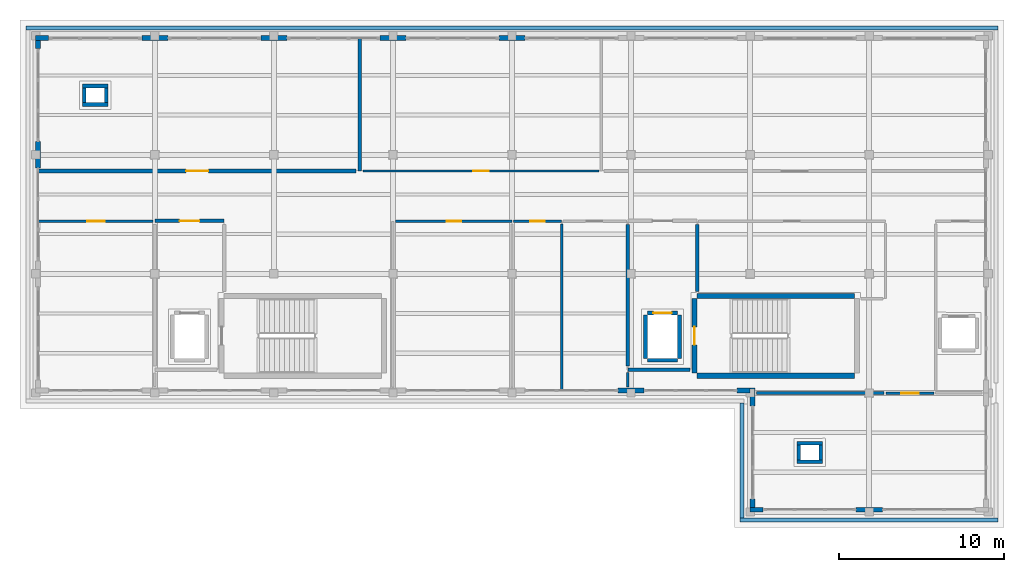
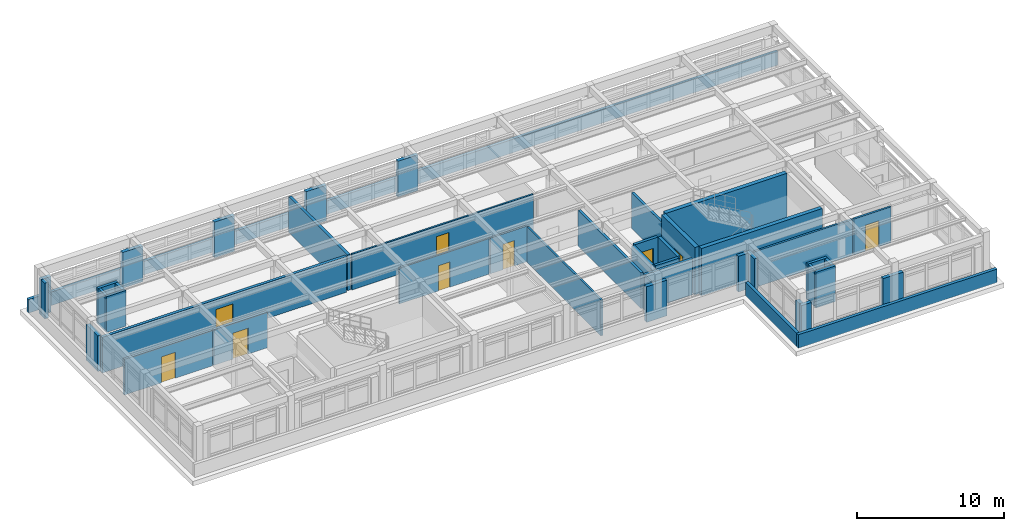
# One storey, part 14 of 18: 45 walls, 9 doors, 9 openings.
"""IFC4 building model written with IfcOpenShell, lengths in metres."""

from ifc_helpers import new_model, si_unit, direction, frame, frame_2d, origin, place, context, subcontext, project, spatial, rectangle, extrude, material, layer, layer_set, type_object, element, fill, save


model = new_model("IFC4")

# Units and contexts
model_context = context("Model", 3, precision=1e-05, world=origin(), true_north=direction((0.0, 1.0)))
body_context = subcontext(model_context, "Body", "Model", "MODEL_VIEW")
ifc_project = project(units=[si_unit("LENGTHUNIT", "METRE"), si_unit("AREAUNIT", "SQUARE_METRE"), si_unit("VOLUMEUNIT", "CUBIC_METRE"), si_unit("PLANEANGLEUNIT", "RADIAN"), si_unit("MASSUNIT", "GRAM", prefix="KILO")], contexts=[model_context])

# Site, building, storey
site_placement = place(None, origin())
site = spatial("IfcSite", under=ifc_project, at=site_placement, CompositionType="ELEMENT")
building_placement = place(site_placement, origin())
building = spatial("IfcBuilding", under=site, at=building_placement, Name="Solenvale Faculty of Natural Sciences", CompositionType="ELEMENT")
storey_placement = place(building_placement, frame((0.0, 0.0, 43.800048828125)))
storey = spatial("IfcBuildingStorey", under=building, at=storey_placement, Name="L10", CompositionType="ELEMENT", Elevation=43.800048828125)

# Walls
ifc_material_1 = material(Name="Precast concrete 40 MPa", Category="concrete")
ifc_layer_1 = layer(ifc_material_1, 0.284912109375)
ifc_layer_set_1 = layer_set([ifc_layer_1], Name="Precast concrete 40 MPa")
wall_type_1 = type_object("IfcWallType", Name="WL-EXT-PRC-285", PredefinedType="STANDARD", material=ifc_layer_set_1)
for number, where, z_axis, x_axis, name in (
    (1, (123.18798828125, 115.0576171875, 0.0), (0.0, 0.0, 1.0), (-1.0, 0.0, 0.0), "L10 Facade Closure Pier 2.B4-R"),
    (2, (115.988037109375, 115.0576171875, 0.0), (0.0, 0.0, 1.0), (-1.0, 0.0, 0.0), "L10 Facade Closure Pier 2.B5-R"),
):
    element("IfcWall", number, at=place(storey_placement, frame(where, z_axis=z_axis, x_axis=x_axis)), inside=storey, type_object=wall_type_1, Name=name, PredefinedType="STANDARD", context=body_context, shape_type="SweptSolid", body=[
        extrude(rectangle(XDim=1.575927734375, YDim=0.284912109375, at=frame_2d((0.7880859375, 0.0))), origin(), (0.0, 0.0, 1.0), 2.9599609375),
    ])
wall_1_placement = place(storey_placement, frame((108.7880859375, 115.0576171875, 0.0), z_axis=(0.0, 0.0, 1.0), x_axis=(-1.0, 0.0, 0.0)))
element("IfcWall", 3, at=wall_1_placement, inside=storey, type_object=wall_type_1, Name="L10 Facade Closure Pier 2.B6-R", PredefinedType="STANDARD", context=body_context, shape_type="SweptSolid", body=[
    extrude(rectangle(XDim=1.576171875, YDim=0.284912109375, at=frame_2d((0.7880859375, 0.0))), origin(), (0.0, 0.0, 1.0), 2.9599609375),
])
wall_2_placement = place(storey_placement, frame((101.587890625, 115.0576171875, 0.0), z_axis=(0.0, 0.0, 1.0), x_axis=(-1.0, 0.0, 0.0)))
element("IfcWall", 4, at=wall_2_placement, inside=storey, type_object=wall_type_1, Name="L10 Facade Closure Pier 2.B7-R", PredefinedType="STANDARD", context=body_context, shape_type="SweptSolid", body=[
    extrude(rectangle(XDim=1.575927734375, YDim=0.284912109375, at=frame_2d((0.7880859375, 0.0))), origin(), (0.0, 0.0, 1.0), 2.9599609375),
])
wall_3_placement = place(storey_placement, frame((94.387939453125, 115.0576171875, 0.0), z_axis=(0.0, 0.0, 1.0), x_axis=(-1.0, 0.0, 0.0)))
element("IfcWall", 5, at=wall_3_placement, inside=storey, type_object=wall_type_1, Name="L10 Facade Closure Pier 2.B8-R", PredefinedType="STANDARD", context=body_context, shape_type="SweptSolid", body=[
    extrude(rectangle(XDim=0.787841796875, YDim=0.284912109375, at=frame_2d((0.39404296875, 0.0))), origin(), (0.0, 0.0, 1.0), 2.9599609375),
])
wall_4_placement = place(storey_placement, frame((93.742431640625, 114.9150390625, 0.0), z_axis=(0.0, 0.0, 1.0), x_axis=(0.0, -1.0, 0.0)))
element("IfcWall", 6, at=wall_4_placement, inside=storey, type_object=wall_type_1, Name="L10 Facade Closure Pier 3.B1-L", PredefinedType="STANDARD", context=body_context, shape_type="SweptSolid", body=[
    extrude(rectangle(XDim=0.5029296875, YDim=0.284912109375, at=frame_2d((0.25146484375, 0.0))), origin(), (0.0, 0.0, 1.0), 2.9599609375),
])
wall_5_placement = place(storey_placement, frame((93.742431640625, 108.7880859375, 0.0), z_axis=(0.0, 0.0, 1.0), x_axis=(0.0, -1.0, 0.0)))
element("IfcWall", 7, at=wall_5_placement, inside=storey, type_object=wall_type_1, Name="L10 Facade Closure Pier 3.B1-R", PredefinedType="STANDARD", context=body_context, shape_type="SweptSolid", body=[
    extrude(rectangle(XDim=1.576171875, YDim=0.284912109375, at=frame_2d((0.7880859375, 0.0))), origin(), (0.0, 0.0, 1.0), 2.9599609375),
])
wall_6_placement = place(storey_placement, frame((128.81201171875, 93.742431640625, 0.0), z_axis=(0.0, 0.0, 1.0), x_axis=(1.0, 0.0, 0.0)))
element("IfcWall", 8, at=wall_6_placement, inside=storey, type_object=wall_type_1, Name="L10 Facade Closure Pier 4.B5-R", PredefinedType="STANDARD", context=body_context, shape_type="SweptSolid", body=[
    extrude(rectangle(XDim=1.575927734375, YDim=0.284912109375, at=frame_2d((0.7880859375, 0.0))), origin(), (0.0, 0.0, 1.0), 2.9599609375),
])
wall_7_placement = place(storey_placement, frame((136.011962890625, 93.742431640625, 0.0), z_axis=(0.0, 0.0, 1.0), x_axis=(1.0, 0.0, 0.0)))
element("IfcWall", 9, at=wall_7_placement, inside=storey, type_object=wall_type_1, Name="L10 Facade Closure Pier 4.B6-R", PredefinedType="STANDARD", context=body_context, shape_type="SweptSolid", body=[
    extrude(rectangle(XDim=0.7880859375, YDim=0.284912109375, at=frame_2d((0.39404296875, 0.0))), origin(), (0.0, 0.0, 1.0), 2.9599609375),
])
wall_8_placement = place(storey_placement, frame((136.9423828125, 93.885009765625, 0.0), z_axis=(0.0, 0.0, 1.0), x_axis=(0.0, -1.0, 0.0)))
element("IfcWall", 10, at=wall_8_placement, inside=storey, type_object=wall_type_1, Name="L10 Facade Closure Pier 5.B1-L", PredefinedType="STANDARD", context=body_context, shape_type="SweptSolid", body=[
    extrude(rectangle(XDim=1.072998046875, YDim=0.284912109375, at=frame_2d((0.53662109375, 0.0))), origin(), (0.0, 0.0, 1.0), 2.9599609375),
])
wall_9_placement = place(storey_placement, frame((136.9423828125, 87.18798828125, 0.0), z_axis=(0.0, 0.0, 1.0), x_axis=(0.0, -1.0, 0.0)))
element("IfcWall", 11, at=wall_9_placement, inside=storey, type_object=wall_type_1, Name="L10 Facade Closure Pier 5.B1-R", PredefinedType="STANDARD", context=body_context, shape_type="SweptSolid", body=[
    extrude(rectangle(XDim=0.5029296875, YDim=0.284912109375, at=frame_2d((0.25146484375, 0.0))), origin(), (0.0, 0.0, 1.0), 2.9599609375),
])
wall_10_placement = place(storey_placement, frame((136.800048828125, 86.54248046875, 0.0), z_axis=(0.0, 0.0, 1.0), x_axis=(1.0, 0.0, 0.0)))
element("IfcWall", 12, at=wall_10_placement, inside=storey, type_object=wall_type_1, Name="L10 Facade Closure Pier 6.B1-L", PredefinedType="STANDARD", context=body_context, shape_type="SweptSolid", body=[
    extrude(rectangle(XDim=0.787841796875, YDim=0.284912109375, at=frame_2d((0.39404296875, 0.0))), origin(), (0.0, 0.0, 1.0), 2.9599609375),
])
wall_11_placement = place(storey_placement, frame((143.2119140625, 86.54248046875, 0.0), z_axis=(0.0, 0.0, 1.0), x_axis=(1.0, 0.0, 0.0)))
element("IfcWall", 13, at=wall_11_placement, inside=storey, type_object=wall_type_1, Name="L10 Facade Closure Pier 6.B1-R", PredefinedType="STANDARD", context=body_context, shape_type="SweptSolid", body=[
    extrude(rectangle(XDim=1.576171875, YDim=0.284912109375, at=frame_2d((0.7880859375, 0.0))), origin(), (0.0, 0.0, 1.0), 2.9599609375),
])

# Wall, opening, door
ifc_material_2 = material(Name="Gypsum fire-rated shaftwall")
ifc_layer_2 = layer(ifc_material_2, 0.205078125)
ifc_layer_set_2 = layer_set([ifc_layer_2], Name="Gypsum fire-rated shaftwall")
wall_type_2 = type_object("IfcWallType", Name="WL-FFL-205", PredefinedType="PARTITIONING", material=ifc_layer_set_2)
wall_12_placement = place(storey_placement, frame((100.800048828125, 104.0, 0.0), z_axis=(0.0, 0.0, 1.0), x_axis=(1.0, 0.0, 0.0)))
wall_12 = element("IfcWall", 14, at=wall_12_placement, inside=storey, type_object=wall_type_2, Name="L10 Firefighting Lobby C4 Partition 1", PredefinedType="PARTITIONING", context=body_context, shape_type="SweptSolid", body=[
    extrude(rectangle(XDim=4.199951171875, YDim=0.205078125, at=frame_2d((2.10009765625, 0.0))), origin(), (0.0, 0.0, 1.0), 2.9599609375),
])
opening_1_placement = place(wall_12_placement, frame((1.5, 0.0, 0.0)))
opening_1 = element("IfcOpeningElement", 15, at=opening_1_placement, cuts=wall_12, Name="Opening D-L10-01", PredefinedType="OPENING", context=body_context, shape_type="SweptSolid", body=[
    extrude(rectangle(XDim=1.199951171875, YDim=2.14990234375, at=frame_2d((0.60009765625, 1.074951171875))), frame((0.0, 0.112548828125, 0.0), z_axis=(0.0, -1.0, 0.0), x_axis=(1.0, 0.0, 0.0)), (0.0, 0.0, 1.0), 0.22509765625),
])
ifc_material_3 = material(Name="Galvanised steel S355", Category="steel")
door_type_1 = type_object("IfcDoorType", Name="DR-FFL-1200x2150", OperationType="NOTDEFINED", PredefinedType="DOOR", material=ifc_material_3)
door_1_placement = place(opening_1_placement, origin())
door_1 = element("IfcDoor", 16, at=door_1_placement, inside=storey, type_object=door_type_1, Name="L10 Firefighting Lobby C4 Door", OperationType="SINGLE_SWING_RIGHT", OverallHeight=2.14990234375, OverallWidth=1.199951171875, PredefinedType="DOOR", context=body_context, shape_type="SweptSolid", body=[
    extrude(rectangle(XDim=1.199951171875, YDim=2.14990234375, at=frame_2d((0.60009765625, 1.074951171875))), frame((0.0, 0.02490234375, 0.0), z_axis=(0.0, -1.0, 0.0), x_axis=(1.0, 0.0, 0.0)), (0.0, 0.0, 1.0), 0.050048828125),
])
fill(opening_1, door_1)

# Walls
wall_13_placement = place(storey_placement, frame((133.60009765625, 103.782958984375, 0.0), z_axis=(0.0, 0.0, 1.0), x_axis=(0.0, -1.0, 0.0)))
element("IfcWall", 17, at=wall_13_placement, inside=storey, type_object=wall_type_2, Name="L10 Firefighting Lobby C5 Partition 2", PredefinedType="PARTITIONING", context=body_context, shape_type="SweptSolid", body=[
    extrude(rectangle(XDim=4.049072265625, YDim=0.205078125, at=frame_2d((2.0244140625, 0.0))), origin(), (0.0, 0.0, 1.0), 2.9599609375),
])
wall_14_placement = place(storey_placement, frame((133.166015625, 95.0, 0.0), z_axis=(0.0, 0.0, 1.0), x_axis=(-1.0, 0.0, 0.0)))
element("IfcWall", 18, at=wall_14_placement, inside=storey, type_object=wall_type_2, Name="L10 Firefighting Lobby C5 Partition 20", PredefinedType="PARTITIONING", context=body_context, shape_type="SweptSolid", body=[
    extrude(rectangle(XDim=3.76611328125, YDim=0.205078125, at=frame_2d((1.883056640625, 0.0))), origin(), (0.0, 0.0, 1.0), 2.9599609375),
])
wall_15_placement = place(storey_placement, frame((129.39990234375, 95.217041015625, 0.0), z_axis=(0.0, 0.0, 1.0), x_axis=(0.0, 1.0, 0.0)))
element("IfcWall", 19, at=wall_15_placement, inside=storey, type_object=wall_type_2, Name="L10 Firefighting Lobby C5 Partition 21", PredefinedType="PARTITIONING", context=body_context, shape_type="SweptSolid", body=[
    extrude(rectangle(XDim=8.56591796875, YDim=0.205078125, at=frame_2d((4.282958984375, 0.0))), origin(), (0.0, 0.0, 1.0), 2.9599609375),
])
ifc_material_4 = material(Name="Gypsum fire-rated laboratory partition")
ifc_layer_3 = layer(ifc_material_4, 0.22802734375)
ifc_layer_set_3 = layer_set([ifc_layer_3], Name="Gypsum fire-rated laboratory partition")
wall_type_3 = type_object("IfcWallType", Name="WL-LAB-228", PredefinedType="PARTITIONING", material=ifc_layer_set_3)
wall_16_placement = place(storey_placement, frame((113.199951171875, 115.01708984375, 0.0), z_axis=(0.0, 0.0, 1.0), x_axis=(0.0, -1.0, 0.0)))
element("IfcWall", 20, at=wall_16_placement, inside=storey, type_object=wall_type_3, Name="L10 Biophysics and Neurobiology Research Laboratory Partition 3", PredefinedType="PARTITIONING", context=body_context, shape_type="SweptSolid", body=[
    extrude(rectangle(XDim=7.9970703125, YDim=0.22802734375, at=frame_2d((3.99853515625, 0.0))), origin(), (0.0, 0.0, 1.0), 2.9599609375),
])

# Wall, opening, door
wall_17_placement = place(storey_placement, frame((112.9599609375, 107.02001953125, 0.0), z_axis=(0.0, 0.0, 1.0), x_axis=(-1.0, 0.0, 0.0)))
wall_17 = element("IfcWall", 21, at=wall_17_placement, inside=storey, type_object=wall_type_3, Name="L10 Biophysics and Neurobiology Research Laboratory Partition 4", PredefinedType="PARTITIONING", context=body_context, shape_type="SweptSolid", body=[
    extrude(rectangle(XDim=19.177001953125, YDim=0.22802734375, at=frame_2d((9.58837890625, 0.0))), origin(), (0.0, 0.0, 1.0), 2.9599609375),
])
opening_2_placement = place(wall_17_placement, frame((8.9130859375, 0.0, 0.0)))
opening_2 = element("IfcOpeningElement", 22, at=opening_2_placement, cuts=wall_17, Name="Opening D-L10-03", PredefinedType="OPENING", context=body_context, shape_type="SweptSolid", body=[
    extrude(rectangle(XDim=1.35009765625, YDim=2.14990234375, at=frame_2d((0.675048828125, 1.074951171875))), frame((0.0, 0.1240234375, 0.0), z_axis=(0.0, -1.0, 0.0), x_axis=(1.0, 0.0, 0.0)), (0.0, 0.0, 1.0), 0.248046875),
])
ifc_material_5 = material(Name="Oak acoustic timber leaf", Category="wood")
door_type_2 = type_object("IfcDoorType", Name="DR-LAB-1350x2150", OperationType="NOTDEFINED", PredefinedType="DOOR", material=ifc_material_5)
door_2_placement = place(opening_2_placement, origin())
door_2 = element("IfcDoor", 23, at=door_2_placement, inside=storey, type_object=door_type_2, Name="L10 Biophysics and Neurobiology Research Laboratory Door", OperationType="SINGLE_SWING_RIGHT", OverallHeight=2.14990234375, OverallWidth=1.35009765625, PredefinedType="DOOR", context=body_context, shape_type="SweptSolid", body=[
    extrude(rectangle(XDim=1.35009765625, YDim=2.14990234375, at=frame_2d((0.675048828125, 1.074951171875))), frame((0.0, 0.02490234375, 0.0), z_axis=(0.0, -1.0, 0.0), x_axis=(1.0, 0.0, 0.0)), (0.0, 0.0, 1.0), 0.050048828125),
])
fill(opening_2, door_2)

# Wall
ifc_material_6 = material(Name="Acoustic stud gypsum partition")
ifc_layer_4 = layer(ifc_material_6, 0.125)
ifc_layer_set_4 = layer_set([ifc_layer_4], Name="Acoustic stud gypsum partition")
wall_type_4 = type_object("IfcWallType", Name="WL-OFF-125", PredefinedType="PARTITIONING", material=ifc_layer_set_4)
wall_18_placement = place(storey_placement, frame((129.39990234375, 94.822998046875, 0.0), z_axis=(0.0, 0.0, 1.0), x_axis=(0.0, -1.0, 0.0)))
element("IfcWall", 24, at=wall_18_placement, inside=storey, type_object=wall_type_4, Name="L10 Analytical Balance Room Partition 20", PredefinedType="PARTITIONING", context=body_context, shape_type="SweptSolid", body=[
    extrude(rectangle(XDim=0.863037109375, YDim=0.125, at=frame_2d((0.431640625, 0.0))), origin(), (0.0, 0.0, 1.0), 2.9599609375),
])

# Wall, opening, door
ifc_layer_5 = layer(ifc_material_6, 0.139892578125)
ifc_layer_set_5 = layer_set([ifc_layer_5], Name="Acoustic stud gypsum partition")
wall_type_5 = type_object("IfcWallType", Name="WL-OFF-140", PredefinedType="PARTITIONING", material=ifc_layer_set_5)
wall_19_placement = place(storey_placement, frame((127.64794921875, 107.02001953125, 0.0), z_axis=(0.0, 0.0, 1.0), x_axis=(-1.0, 0.0, 0.0)))
wall_19 = element("IfcWall", 25, at=wall_19_placement, inside=storey, type_object=wall_type_5, Name="L10 Faculty Staff Office Partition 4", PredefinedType="PARTITIONING", context=body_context, shape_type="SweptSolid", body=[
    extrude(rectangle(XDim=14.251953125, YDim=0.139892578125, at=frame_2d((7.1259765625, 0.0))), origin(), (0.0, 0.0, 1.0), 2.9599609375),
])
opening_3_placement = place(wall_19_placement, frame((6.64599609375, 0.0, 0.0)))
opening_3 = element("IfcOpeningElement", 26, at=opening_3_placement, cuts=wall_19, Name="Opening D-L10-04", PredefinedType="OPENING", context=body_context, shape_type="SweptSolid", body=[
    extrude(rectangle(XDim=0.9599609375, YDim=2.10009765625, at=frame_2d((0.47998046875, 1.050048828125))), frame((0.0, 0.079833984375, 0.0), z_axis=(0.0, -1.0, 0.0), x_axis=(1.0, 0.0, 0.0)), (0.0, 0.0, 1.0), 0.159912109375),
])
door_type_3 = type_object("IfcDoorType", Name="DR-OFF-0960x2100", OperationType="NOTDEFINED", PredefinedType="DOOR", material=ifc_material_5)
door_3_placement = place(opening_3_placement, origin())
door_3 = element("IfcDoor", 27, at=door_3_placement, inside=storey, type_object=door_type_3, Name="L10 Faculty Staff Office Door", OperationType="SINGLE_SWING_LEFT", OverallHeight=2.10009765625, OverallWidth=0.9599609375, PredefinedType="DOOR", context=body_context, shape_type="SweptSolid", body=[
    extrude(rectangle(XDim=0.9599609375, YDim=2.10009765625, at=frame_2d((0.47998046875, 1.050048828125))), frame((0.0, 0.02490234375, 0.0), z_axis=(0.0, -1.0, 0.0), x_axis=(1.0, 0.0, 0.0)), (0.0, 0.0, 1.0), 0.050048828125),
])
fill(opening_3, door_3)

# Walls
ifc_material_7 = material(Name="Architectural bronze concrete 40 MPa", Category="concrete")
ifc_layer_6 = layer(ifc_material_7, 0.239990234375)
ifc_layer_set_6 = layer_set([ifc_layer_6], Name="Architectural bronze concrete 40 MPa")
wall_type_6 = type_object("IfcWallType", Name="WL-PAR-BRZ-240", PredefinedType="PARAPET", material=ifc_layer_set_6)
wall_20_placement = place(storey_placement, frame((93.0, 115.679931640625, 0.0), z_axis=(0.0, 0.0, 1.0), x_axis=(1.0, 0.0, 0.0)))
element("IfcWall", 28, at=wall_20_placement, inside=storey, type_object=wall_type_6, Name="L10 Tower Horizontal Concrete Band 3", PredefinedType="PARAPET", context=body_context, shape_type="SweptSolid", body=[
    extrude(rectangle(XDim=58.800048828125, YDim=0.239990234375, at=frame_2d((29.39990234375, 0.0))), origin(), (0.0, 0.0, 1.0), 1.119873046875),
])
wall_21_placement = place(storey_placement, frame((151.800048828125, 85.919921875, 0.0), z_axis=(0.0, 0.0, 1.0), x_axis=(-1.0, 0.0, 0.0)))
element("IfcWall", 29, at=wall_21_placement, inside=storey, type_object=wall_type_6, Name="L10 Tower Horizontal Concrete Band 6", PredefinedType="PARAPET", context=body_context, shape_type="SweptSolid", body=[
    extrude(rectangle(XDim=15.60009765625, YDim=0.239990234375, at=frame_2d((7.800048828125, 0.0))), origin(), (0.0, 0.0, 1.0), 1.119873046875),
])
wall_22_placement = place(storey_placement, frame((136.320068359375, 86.0400390625, 0.0), z_axis=(0.0, 0.0, 1.0), x_axis=(0.0, 1.0, 0.0)))
element("IfcWall", 30, at=wall_22_placement, inside=storey, type_object=wall_type_6, Name="L10 Tower Horizontal Concrete Band 7", PredefinedType="PARAPET", context=body_context, shape_type="SweptSolid", body=[
    extrude(rectangle(XDim=6.9599609375, YDim=0.239990234375, at=frame_2d((3.47998046875, 0.0))), origin(), (0.0, 0.0, 1.0), 1.119873046875),
])

# Wall, opening, door
ifc_material_8 = material(Name="Acoustic double-stud gypsum partition")
ifc_layer_7 = layer(ifc_material_8, 0.1650390625)
ifc_layer_set_7 = layer_set([ifc_layer_7], Name="Acoustic double-stud gypsum partition")
wall_type_7 = type_object("IfcWallType", Name="WL-SEM-165", PredefinedType="PARTITIONING", material=ifc_layer_set_7)
wall_23_placement = place(storey_placement, frame((145.0, 93.580078125, 0.0), z_axis=(0.0, 0.0, 1.0), x_axis=(1.0, 0.0, 0.0)))
wall_23 = element("IfcWall", 31, at=wall_23_placement, inside=storey, type_object=wall_type_7, Name="L10 Seminar Room Partition 16", PredefinedType="PARTITIONING", context=body_context, shape_type="SweptSolid", body=[
    extrude(rectangle(XDim=2.925048828125, YDim=0.1650390625, at=frame_2d((1.46240234375, 0.0))), origin(), (0.0, 0.0, 1.0), 2.9599609375),
])
opening_4_placement = place(wall_23_placement, frame((0.93798828125, 0.0, 0.0)))
opening_4 = element("IfcOpeningElement", 32, at=opening_4_placement, cuts=wall_23, Name="Opening D-L10-12", PredefinedType="OPENING", context=body_context, shape_type="SweptSolid", body=[
    extrude(rectangle(XDim=1.050048828125, YDim=2.14990234375, at=frame_2d((0.52490234375, 1.074951171875))), frame((0.0, 0.092529296875, 0.0), z_axis=(0.0, -1.0, 0.0), x_axis=(1.0, 0.0, 0.0)), (0.0, 0.0, 1.0), 0.18505859375),
])
door_type_4 = type_object("IfcDoorType", Name="DR-SEM-1050x2150", OperationType="NOTDEFINED", PredefinedType="DOOR", material=ifc_material_5)
door_4_placement = place(opening_4_placement, origin())
door_4 = element("IfcDoor", 33, at=door_4_placement, inside=storey, type_object=door_type_4, Name="L10 Seminar Room Door", OperationType="SINGLE_SWING_LEFT", OverallHeight=2.14990234375, OverallWidth=1.050048828125, PredefinedType="DOOR", context=body_context, shape_type="SweptSolid", body=[
    extrude(rectangle(XDim=1.050048828125, YDim=2.14990234375, at=frame_2d((0.52490234375, 1.074951171875))), frame((0.0, 0.02490234375, 0.0), z_axis=(0.0, -1.0, 0.0), x_axis=(1.0, 0.0, 0.0)), (0.0, 0.0, 1.0), 0.050048828125),
])
fill(opening_4, door_4)

# Wall
wall_24_placement = place(storey_placement, frame((137.179931640625, 93.60009765625, 0.0), z_axis=(0.0, 0.0, 1.0), x_axis=(1.0, 0.0, 0.0)))
element("IfcWall", 34, at=wall_24_placement, inside=storey, type_object=wall_type_7, Name="L10 Seminar Room Partition 33", PredefinedType="PARTITIONING", context=body_context, shape_type="SweptSolid", body=[
    extrude(rectangle(XDim=7.72509765625, YDim=0.1650390625, at=frame_2d((3.862548828125, 0.0))), origin(), (0.0, 0.0, 1.0), 2.9599609375),
])

# Wall, opening, door
ifc_layer_8 = layer(ifc_material_8, 0.169921875)
ifc_layer_set_8 = layer_set([ifc_layer_8], Name="Acoustic double-stud gypsum partition")
wall_type_8 = type_object("IfcWallType", Name="WL-SEM-170", PredefinedType="PARTITIONING", material=ifc_layer_set_8)
wall_25_placement = place(storey_placement, frame((93.782958984375, 103.97998046875, 0.0), z_axis=(0.0, 0.0, 1.0), x_axis=(1.0, 0.0, 0.0)))
wall_25 = element("IfcWall", 35, at=wall_25_placement, inside=storey, type_object=wall_type_8, Name="L10 Learning Commons Partition 2", PredefinedType="PARTITIONING", context=body_context, shape_type="SweptSolid", body=[
    extrude(rectangle(XDim=6.919921875, YDim=0.169921875, at=frame_2d((3.4599609375, 0.0))), origin(), (0.0, 0.0, 1.0), 2.9599609375),
])
opening_5_placement = place(wall_25_placement, frame((2.919921875, 0.0, 0.0)))
opening_5 = element("IfcOpeningElement", 36, at=opening_5_placement, cuts=wall_25, Name="Opening D-L10-06", PredefinedType="OPENING", context=body_context, shape_type="SweptSolid", body=[
    extrude(rectangle(XDim=1.080078125, YDim=2.14990234375, at=frame_2d((0.5400390625, 1.074951171875))), frame((0.0, 0.094970703125, 0.0), z_axis=(0.0, -1.0, 0.0), x_axis=(1.0, 0.0, 0.0)), (0.0, 0.0, 1.0), 0.18994140625),
])
door_type_5 = type_object("IfcDoorType", Name="DR-SEM-1080x2150", OperationType="NOTDEFINED", PredefinedType="DOOR", material=ifc_material_5)
door_5_placement = place(opening_5_placement, origin())
door_5 = element("IfcDoor", 37, at=door_5_placement, inside=storey, type_object=door_type_5, Name="L10 Learning Commons Door", OperationType="SINGLE_SWING_LEFT", OverallHeight=2.14990234375, OverallWidth=1.080078125, PredefinedType="DOOR", context=body_context, shape_type="SweptSolid", body=[
    extrude(rectangle(XDim=1.080078125, YDim=2.14990234375, at=frame_2d((0.5400390625, 1.074951171875))), frame((0.0, 0.02490234375, 0.0), z_axis=(0.0, -1.0, 0.0), x_axis=(1.0, 0.0, 0.0)), (0.0, 0.0, 1.0), 0.050048828125),
])
fill(opening_5, door_5)

# Wall
ifc_material_9 = material(Name="Concrete 40 MPa", Category="concrete")
ifc_layer_9 = layer(ifc_material_9, 0.219970703125)
ifc_layer_set_9 = layer_set([ifc_layer_9], Name="Concrete 40 MPa")
wall_type_9 = type_object("IfcWallType", Name="WL-SHF-220", PredefinedType="STANDARD", material=ifc_layer_set_9)
wall_26_placement = place(storey_placement, frame((130.580078125, 95.570068359375, 0.0), z_axis=(0.0, 0.0, 1.0), x_axis=(1.0, 0.0, 0.0)))
element("IfcWall", 38, at=wall_26_placement, inside=storey, type_object=wall_type_9, Name="Elevator LF-02 L10 Shaft Wall S", PredefinedType="STANDARD", context=body_context, shape_type="SweptSolid", body=[
    extrude(rectangle(XDim=1.83984375, YDim=0.219970703125, at=frame_2d((0.919921875, 0.0))), origin(), (0.0, 0.0, 1.0), 2.9599609375),
])

# Wall, opening, door
wall_27_placement = place(storey_placement, frame((130.580078125, 98.429931640625, 0.0), z_axis=(0.0, 0.0, 1.0), x_axis=(1.0, 0.0, 0.0)))
wall_27 = element("IfcWall", 39, at=wall_27_placement, inside=storey, type_object=wall_type_9, Name="Elevator LF-02 L10 Shaft Wall N", PredefinedType="STANDARD", context=body_context, shape_type="SweptSolid", body=[
    extrude(rectangle(XDim=1.83984375, YDim=0.219970703125, at=frame_2d((0.919921875, 0.0))), origin(), (0.0, 0.0, 1.0), 2.9599609375),
])
opening_6_placement = place(wall_27_placement, frame((0.3701171875, 0.0, 0.0)))
opening_6 = element("IfcOpeningElement", 40, at=opening_6_placement, cuts=wall_27, Name="Opening LD-LF-02-L10", PredefinedType="OPENING", context=body_context, shape_type="SweptSolid", body=[
    extrude(rectangle(XDim=1.10009765625, YDim=2.14990234375, at=frame_2d((0.550048828125, 1.074951171875))), frame((0.0, 0.119873046875, 0.0), z_axis=(0.0, -1.0, 0.0), x_axis=(1.0, 0.0, 0.0)), (0.0, 0.0, 1.0), 0.239990234375),
])
ifc_material_10 = material(Name="Stainless steel Grade 304", Category="steel")
door_type_6 = type_object("IfcDoorType", Name="DR-LIFT-1100x2150", OperationType="NOTDEFINED", PredefinedType="DOOR", material=ifc_material_10)
door_6_placement = place(opening_6_placement, origin())
door_6 = element("IfcDoor", 41, at=door_6_placement, inside=storey, type_object=door_type_6, Name="Elevator LF-02 L10 Sliding Landing Door", OperationType="SLIDING_TO_LEFT", OverallHeight=2.14990234375, OverallWidth=1.10009765625, PredefinedType="DOOR", context=body_context, shape_type="SweptSolid", body=[
    extrude(rectangle(XDim=1.10009765625, YDim=2.14990234375, at=frame_2d((0.550048828125, 1.074951171875))), frame((0.0, 0.02490234375, 0.0), z_axis=(0.0, -1.0, 0.0), x_axis=(1.0, 0.0, 0.0)), (0.0, 0.0, 1.0), 0.050048828125),
])
fill(opening_6, door_6)

# Walls
for number, where, z_axis, x_axis, name in (
    (42, (130.469970703125, 95.679931640625, 0.0), (0.0, 0.0, 1.0), (0.0, 1.0, 0.0), "Elevator LF-02 L10 Shaft Wall W"),
    (43, (132.530029296875, 95.679931640625, 0.0), (0.0, 0.0, 1.0), (0.0, 1.0, 0.0), "Elevator LF-02 L10 Shaft Wall E"),
):
    element("IfcWall", number, at=place(storey_placement, frame(where, z_axis=z_axis, x_axis=x_axis)), inside=storey, type_object=wall_type_9, Name=name, PredefinedType="STANDARD", context=body_context, shape_type="SweptSolid", body=[
        extrude(rectangle(XDim=2.64013671875, YDim=0.219970703125, at=frame_2d((1.320068359375, 0.0))), origin(), (0.0, 0.0, 1.0), 2.9599609375),
    ])
for number, where, z_axis, x_axis, name in (
    (44, (96.429931640625, 111.0400390625, 0.0), (0.0, 0.0, 1.0), (1.0, 0.0, 0.0), "L10 Service Riser Shaft 1 Wall S"),
    (45, (96.429931640625, 112.159912109375, 0.0), (0.0, 0.0, 1.0), (1.0, 0.0, 0.0), "L10 Service Riser Shaft 1 Wall N"),
):
    element("IfcWall", number, at=place(storey_placement, frame(where, z_axis=z_axis, x_axis=x_axis)), inside=storey, type_object=wall_type_9, Name=name, PredefinedType="STANDARD", context=body_context, shape_type="SweptSolid", body=[
        extrude(rectangle(XDim=1.5400390625, YDim=0.219970703125, at=frame_2d((0.77001953125, 0.0))), origin(), (0.0, 0.0, 1.0), 2.9599609375),
    ])
for number, where, z_axis, x_axis, name in (
    (46, (96.5400390625, 111.14990234375, 0.0), (0.0, 0.0, 1.0), (0.0, 1.0, 0.0), "L10 Service Riser Shaft 1 Wall W"),
    (47, (97.860107421875, 111.14990234375, 0.0), (0.0, 0.0, 1.0), (0.0, 1.0, 0.0), "L10 Service Riser Shaft 1 Wall E"),
):
    element("IfcWall", number, at=place(storey_placement, frame(where, z_axis=z_axis, x_axis=x_axis)), inside=storey, type_object=wall_type_9, Name=name, PredefinedType="STANDARD", context=body_context, shape_type="SweptSolid", body=[
        extrude(rectangle(XDim=0.900146484375, YDim=0.219970703125, at=frame_2d((0.4501953125, 0.0))), origin(), (0.0, 0.0, 1.0), 2.9599609375),
    ])
for number, where, z_axis, x_axis, name in (
    (48, (139.6298828125, 89.43994140625, 0.0), (0.0, 0.0, 1.0), (1.0, 0.0, 0.0), "L10 Service Riser Shaft 2 Wall S"),
    (49, (139.6298828125, 90.56005859375, 0.0), (0.0, 0.0, 1.0), (1.0, 0.0, 0.0), "L10 Service Riser Shaft 2 Wall N"),
):
    element("IfcWall", number, at=place(storey_placement, frame(where, z_axis=z_axis, x_axis=x_axis)), inside=storey, type_object=wall_type_9, Name=name, PredefinedType="STANDARD", context=body_context, shape_type="SweptSolid", body=[
        extrude(rectangle(XDim=1.5400390625, YDim=0.219970703125, at=frame_2d((0.77001953125, 0.0))), origin(), (0.0, 0.0, 1.0), 2.9599609375),
    ])
for number, where, z_axis, x_axis, name in (
    (50, (139.739990234375, 89.550048828125, 0.0), (0.0, 0.0, 1.0), (0.0, 1.0, 0.0), "L10 Service Riser Shaft 2 Wall W"),
    (51, (141.06005859375, 89.550048828125, 0.0), (0.0, 0.0, 1.0), (0.0, 1.0, 0.0), "L10 Service Riser Shaft 2 Wall E"),
):
    element("IfcWall", number, at=place(storey_placement, frame(where, z_axis=z_axis, x_axis=x_axis)), inside=storey, type_object=wall_type_9, Name=name, PredefinedType="STANDARD", context=body_context, shape_type="SweptSolid", body=[
        extrude(rectangle(XDim=0.89990234375, YDim=0.219970703125, at=frame_2d((0.449951171875, 0.0))), origin(), (0.0, 0.0, 1.0), 2.9599609375),
    ])
ifc_layer_10 = layer(ifc_material_9, 0.320068359375)
ifc_layer_set_10 = layer_set([ifc_layer_10], Name="Concrete 40 MPa")
wall_type_10 = type_object("IfcWallType", Name="WL-SHR-320", PredefinedType="SHEAR", material=ifc_layer_set_10)
for number, where, z_axis, x_axis, name in (
    (52, (133.60009765625, 94.639892578125, 0.0), (0.0, 0.0, 1.0), (1.0, 0.0, 0.0), "Core C5 L10 Shear Wall S"),
    (53, (133.60009765625, 99.4599609375, 0.0), (0.0, 0.0, 1.0), (1.0, 0.0, 0.0), "Core C5 L10 Shear Wall N"),
):
    element("IfcWall", number, at=place(storey_placement, frame(where, z_axis=z_axis, x_axis=x_axis)), inside=storey, type_object=wall_type_10, Name=name, PredefinedType="SHEAR", context=body_context, shape_type="SweptSolid", body=[
        extrude(rectangle(XDim=9.5, YDim=0.320068359375, at=frame_2d((4.75, 0.0))), origin(), (0.0, 0.0, 1.0), 3.919921875),
    ])

# Wall, opening, door
wall_28_placement = place(storey_placement, frame((133.43994140625, 94.800048828125, 0.0), z_axis=(0.0, 0.0, 1.0), x_axis=(0.0, 1.0, 0.0)))
wall_28 = element("IfcWall", 54, at=wall_28_placement, inside=storey, type_object=wall_type_10, Name="Core C5 L10 Shear Wall W", PredefinedType="SHEAR", context=body_context, shape_type="SweptSolid", body=[
    extrude(rectangle(XDim=4.5, YDim=0.320068359375, at=frame_2d((2.25, 0.0))), origin(), (0.0, 0.0, 1.0), 3.919921875),
])
opening_7_placement = place(wall_28_placement, frame((1.699951171875, 0.0, 0.0)))
opening_7 = element("IfcOpeningElement", 55, at=opening_7_placement, cuts=wall_28, Name="Opening DS-C5-L10", PredefinedType="OPENING", context=body_context, shape_type="SweptSolid", body=[
    extrude(rectangle(XDim=1.10009765625, YDim=2.14990234375, at=frame_2d((0.550048828125, 1.074951171875))), frame((0.0, 0.169921875, 0.0), z_axis=(0.0, -1.0, 0.0), x_axis=(1.0, 0.0, 0.0)), (0.0, 0.0, 1.0), 0.340087890625),
])
door_type_7 = type_object("IfcDoorType", Name="DR-STAIR-1100x2150", OperationType="NOTDEFINED", PredefinedType="DOOR", material=ifc_material_3)
door_7_placement = place(opening_7_placement, origin())
door_7 = element("IfcDoor", 56, at=door_7_placement, inside=storey, type_object=door_type_7, Name="L10 Stair ST-05 Fire Door", OperationType="SINGLE_SWING_LEFT", OverallHeight=2.14990234375, OverallWidth=1.10009765625, PredefinedType="DOOR", context=body_context, shape_type="SweptSolid", body=[
    extrude(rectangle(XDim=1.10009765625, YDim=2.14990234375, at=frame_2d((0.550048828125, 1.074951171875))), frame((0.0, 0.02490234375, 0.0), z_axis=(0.0, -1.0, 0.0), x_axis=(1.0, 0.0, 0.0)), (0.0, 0.0, 1.0), 0.050048828125),
])
fill(opening_7, door_7)

ifc_material_11 = material(Name="Moisture-resistant tile partition")
ifc_layer_11 = layer(ifc_material_11, 0.14990234375)
ifc_layer_set_11 = layer_set([ifc_layer_11], Name="Moisture-resistant tile partition")
wall_type_11 = type_object("IfcWallType", Name="WL-WC-150", PredefinedType="PARTITIONING", material=ifc_layer_set_11)
wall_29_placement = place(storey_placement, frame((115.362060546875, 103.97998046875, 0.0), z_axis=(0.0, 0.0, 1.0), x_axis=(1.0, 0.0, 0.0)))
wall_29 = element("IfcWall", 57, at=wall_29_placement, inside=storey, type_object=wall_type_11, Name="L10 Public Washroom Partition 2", PredefinedType="PARTITIONING", context=body_context, shape_type="SweptSolid", body=[
    extrude(rectangle(XDim=7.037841796875, YDim=0.14990234375, at=frame_2d((3.51904296875, 0.0))), origin(), (0.0, 0.0, 1.0), 2.9599609375),
])
opening_8_placement = place(wall_29_placement, frame((3.0791015625, 0.0, 0.0)))
opening_8 = element("IfcOpeningElement", 58, at=opening_8_placement, cuts=wall_29, Name="Opening D-L10-07", PredefinedType="OPENING", context=body_context, shape_type="SweptSolid", body=[
    extrude(rectangle(XDim=0.8798828125, YDim=2.10009765625, at=frame_2d((0.43994140625, 1.050048828125))), frame((0.0, 0.0849609375, 0.0), z_axis=(0.0, -1.0, 0.0), x_axis=(1.0, 0.0, 0.0)), (0.0, 0.0, 1.0), 0.169921875),
])
door_type_8 = type_object("IfcDoorType", Name="DR-WC-0880x2100", OperationType="NOTDEFINED", PredefinedType="DOOR", material=ifc_material_5)
door_8_placement = place(opening_8_placement, origin())
door_8 = element("IfcDoor", 59, at=door_8_placement, inside=storey, type_object=door_type_8, Name="L10 Public Washroom Door", OperationType="SINGLE_SWING_RIGHT", OverallHeight=2.10009765625, OverallWidth=0.8798828125, PredefinedType="DOOR", context=body_context, shape_type="SweptSolid", body=[
    extrude(rectangle(XDim=0.8798828125, YDim=2.10009765625, at=frame_2d((0.43994140625, 1.050048828125))), frame((0.0, 0.02490234375, 0.0), z_axis=(0.0, -1.0, 0.0), x_axis=(1.0, 0.0, 0.0)), (0.0, 0.0, 1.0), 0.050048828125),
])
fill(opening_8, door_8)

wall_30_placement = place(storey_placement, frame((122.487060546875, 103.97998046875, 0.0), z_axis=(0.0, 0.0, 1.0), x_axis=(1.0, 0.0, 0.0)))
wall_30 = element("IfcWall", 60, at=wall_30_placement, inside=storey, type_object=wall_type_11, Name="L10 Accessible Washroom Partition 2", PredefinedType="PARTITIONING", context=body_context, shape_type="SweptSolid", body=[
    extrude(rectangle(XDim=2.912841796875, YDim=0.14990234375, at=frame_2d((1.45654296875, 0.0))), origin(), (0.0, 0.0, 1.0), 2.9599609375),
])
opening_9_placement = place(wall_30_placement, frame((1.007080078125, 0.0, 0.0)))
opening_9 = element("IfcOpeningElement", 61, at=opening_9_placement, cuts=wall_30, Name="Opening D-L10-08", PredefinedType="OPENING", context=body_context, shape_type="SweptSolid", body=[
    extrude(rectangle(XDim=0.89990234375, YDim=2.10009765625, at=frame_2d((0.449951171875, 1.050048828125))), frame((0.0, 0.0849609375, 0.0), z_axis=(0.0, -1.0, 0.0), x_axis=(1.0, 0.0, 0.0)), (0.0, 0.0, 1.0), 0.169921875),
])
door_type_9 = type_object("IfcDoorType", Name="DR-WC-0900x2100", OperationType="NOTDEFINED", PredefinedType="DOOR", material=ifc_material_5)
door_9_placement = place(opening_9_placement, origin())
door_9 = element("IfcDoor", 62, at=door_9_placement, inside=storey, type_object=door_type_9, Name="L10 Accessible Washroom Door", OperationType="SINGLE_SWING_LEFT", OverallHeight=2.10009765625, OverallWidth=0.89990234375, PredefinedType="DOOR", context=body_context, shape_type="SweptSolid", body=[
    extrude(rectangle(XDim=0.89990234375, YDim=2.10009765625, at=frame_2d((0.449951171875, 1.050048828125))), frame((0.0, 0.02490234375, 0.0), z_axis=(0.0, -1.0, 0.0), x_axis=(1.0, 0.0, 0.0)), (0.0, 0.0, 1.0), 0.050048828125),
])
fill(opening_9, door_9)

# Wall
wall_31_placement = place(storey_placement, frame((125.39990234375, 103.818115234375, 0.0), z_axis=(0.0, 0.0, 1.0), x_axis=(0.0, -1.0, 0.0)))
element("IfcWall", 63, at=wall_31_placement, inside=storey, type_object=wall_type_11, Name="L10 Accessible Washroom Partition 3", PredefinedType="PARTITIONING", context=body_context, shape_type="SweptSolid", body=[
    extrude(rectangle(XDim=10.03515625, YDim=0.14990234375, at=frame_2d((5.017578125, 0.0))), origin(), (0.0, 0.0, 1.0), 2.9599609375),
])

save(model, "model.ifc")
